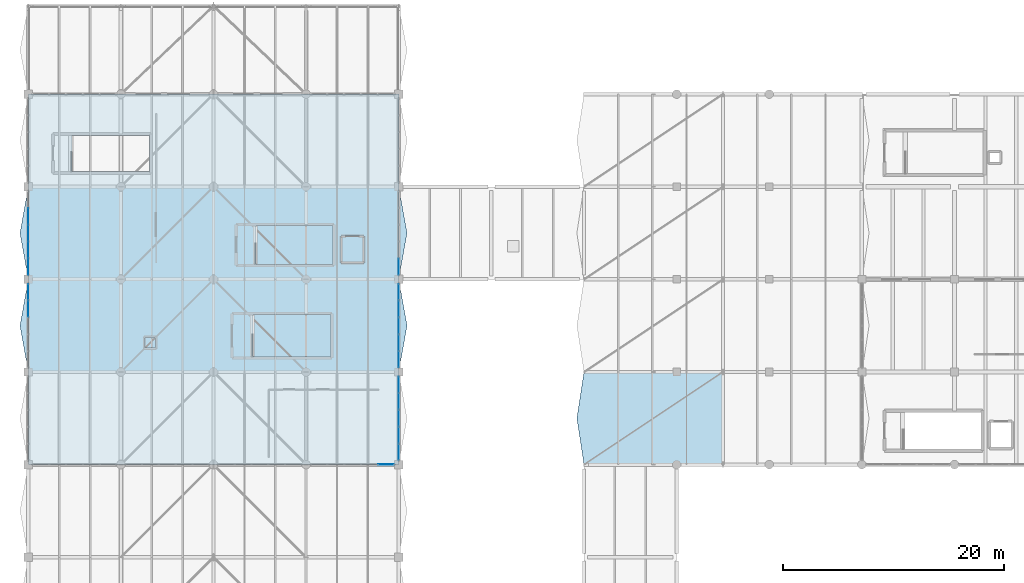
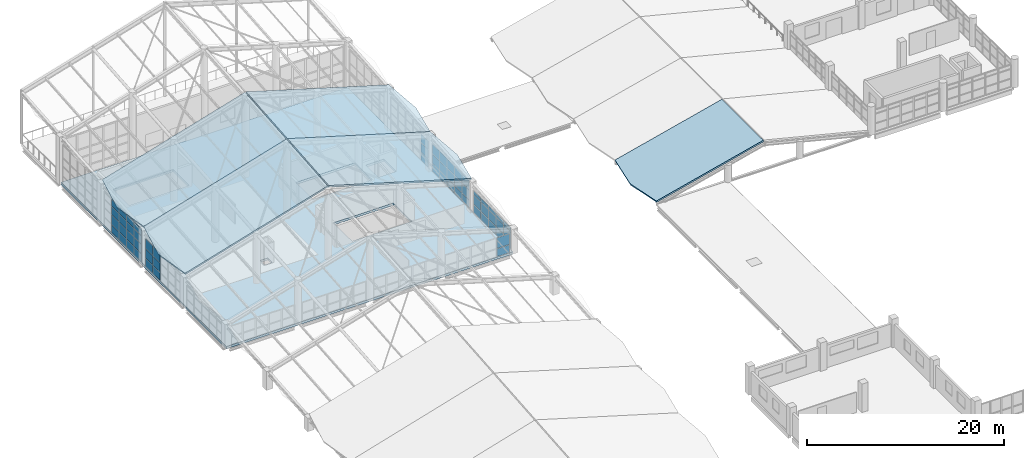
# One storey, part 68 of 95: 57 plates, 6 slabs, 6 elements without a shape of their own.
"""IFC4 building model written with IfcOpenShell, lengths in metres."""

import ifcopenshell
import ifcopenshell.guid

model = None  # the IFC model being written
_history = None  # IfcOwnerHistory: only IFC2X3 demands one
_inside = {}  # id of a spatial element -> (the spatial element, [elements in it])
_under = {}  # id of a project, library or spatial element -> (it, [spatial elements below it])
_declared = {}  # id of a project -> (the project, [libraries it declares])
_typed = {}  # id of a type object -> (the type object, [elements of that type])
_made_of = {}  # id of a material, layer set ... -> (it, [elements and type objects made of it])


def new_model(schema):
    """Start an empty IFC model of exactly this schema.

    Asked for "IFC4X3", IfcOpenShell would pick the latest addendum, in which some entities
    have other attributes; the version numbers below select the first issue.
    IFC2X3 requires an IfcOwnerHistory on every rooted entity: one is made here for all.
    """
    global model, _history
    if schema == "IFC4X3":
        model = ifcopenshell.file(schema_version=(4, 3, 0, 0))
    else:
        model = ifcopenshell.file(schema=schema)
    _inside.clear()
    _under.clear()
    _declared.clear()
    _typed.clear()
    _made_of.clear()
    _history = None
    if model.schema == "IFC2X3":
        org = make("IfcOrganization", Name="unknown")
        user = make(
            "IfcPersonAndOrganization",
            ThePerson=make("IfcPerson", FamilyName="unknown"),
            TheOrganization=org,
        )
        app = make(
            "IfcApplication",
            ApplicationDeveloper=org,
            Version="unknown",
            ApplicationFullName="unknown",
            ApplicationIdentifier="unknown",
        )
        _history = make(
            "IfcOwnerHistory",
            OwningUser=user,
            OwningApplication=app,
            ChangeAction="ADDED",
            CreationDate=0,
        )
    return model


def make(cls, **values):
    """One entity of the class cls with the attributes given. An attribute that is None is left unset."""
    return model.create_entity(
        cls, **{name: value for name, value in values.items() if value is not None}
    )


def rooted(cls, **values):
    """An entity with a GlobalId (a new one), such as an element, a storey or a relation."""
    return make(cls, GlobalId=ifcopenshell.guid.new(), OwnerHistory=_history, **values)


def si_unit(unit_type, name, prefix=None):
    """IfcSIUnit, for example si_unit("LENGTHUNIT", "METRE", prefix="MILLI")."""
    return make("IfcSIUnit", UnitType=unit_type, Prefix=prefix, Name=name)


def assignment(units):
    """IfcUnitAssignment: the units of a project."""
    return None if units is None else make("IfcUnitAssignment", Units=units)


def point(xyz):
    """IfcCartesianPoint."""
    return None if xyz is None else make("IfcCartesianPoint", Coordinates=xyz)


def direction(xyz):
    """IfcDirection."""
    return None if xyz is None else make("IfcDirection", DirectionRatios=xyz)


def frame(location, z_axis=None, x_axis=None):
    """IfcAxis2Placement3D, a coordinate frame: its origin and axes. An axis left out is left unset."""
    return make(
        "IfcAxis2Placement3D",
        Location=point(location),
        Axis=direction(z_axis),
        RefDirection=direction(x_axis),
    )


def frame_2d(location, x_axis=None):
    """IfcAxis2Placement2D, a coordinate frame in the plane: its origin and x axis."""
    return make(
        "IfcAxis2Placement2D", Location=point(location), RefDirection=direction(x_axis)
    )


def origin():
    """The frame at (0, 0, 0) with its axes left unset."""
    return frame((0.0, 0.0, 0.0))


def origin_2d():
    """The frame at (0, 0) in the plane with its x axis left unset."""
    return frame_2d((0.0, 0.0))


def place(relative_to, where):
    """IfcLocalPlacement: puts the frame where relative to a parent placement (None: the world)."""
    return make(
        "IfcLocalPlacement", PlacementRelTo=relative_to, RelativePlacement=where
    )


def context(
    kind, dimensions, precision=None, world=None, true_north=None, identifier=None
):
    """IfcGeometricRepresentationContext, for example the 3D "Model" context."""
    return make(
        "IfcGeometricRepresentationContext",
        ContextIdentifier=identifier,
        ContextType=kind,
        CoordinateSpaceDimension=dimensions,
        Precision=precision,
        WorldCoordinateSystem=world,
        TrueNorth=true_north,
    )


def subcontext(parent, identifier, kind, view, scale=None):
    """IfcGeometricRepresentationSubContext, for example "Body" below "Model"."""
    return make(
        "IfcGeometricRepresentationSubContext",
        ContextIdentifier=identifier,
        ContextType=kind,
        ParentContext=parent,
        TargetScale=scale,
        TargetView=view,
    )


def project(units=None, contexts=None):
    """IfcProject with its units and contexts."""
    return rooted(
        "IfcProject",
        Name="project",
        RepresentationContexts=contexts,
        UnitsInContext=assignment(units),
    )


def spatial(cls, under=None, at=None, **own):
    """A site, building, storey or space (cls), placed at a placement, below another one or the project."""
    s = rooted(cls, ObjectPlacement=at, **own)
    if under is not None:
        _under.setdefault(under.id(), (under, []))[1].append(s)
    return s


def polyline(points):
    """IfcPolyline through the points."""
    return make("IfcPolyline", Points=[point(p) for p in points])


def profile(cls, at=None, kind="AREA", **sizes):
    """A parametric profile (cls). Its sizes go by their IFC names, for example OverallWidth=200.0."""
    return make(cls, ProfileType=kind, Position=at, **sizes)


def rectangle(**sizes):
    """IfcRectangleProfileDef."""
    return profile("IfcRectangleProfileDef", **sizes)


def outline(outer, holes=None, kind="AREA"):
    """IfcArbitraryClosedProfileDef: a profile drawn as a closed curve; with holes, ...WithVoids."""
    if holes is None:
        return make("IfcArbitraryClosedProfileDef", ProfileType=kind, OuterCurve=outer)
    return make(
        "IfcArbitraryProfileDefWithVoids",
        ProfileType=kind,
        OuterCurve=outer,
        InnerCurves=holes,
    )


def extrude(swept, where, along, depth):
    """IfcExtrudedAreaSolid: the profile swept, set in the frame where, extruded along a direction by depth."""
    return make(
        "IfcExtrudedAreaSolid",
        SweptArea=swept,
        Position=where,
        ExtrudedDirection=direction(along),
        Depth=depth,
    )


def shape(context_of_items, identifier, shape_type, items):
    """IfcShapeRepresentation: the items that make up one representation, for example the "Body"."""
    return make(
        "IfcShapeRepresentation",
        ContextOfItems=context_of_items,
        RepresentationIdentifier=identifier,
        RepresentationType=shape_type,
        Items=items,
    )


def material(Name=None, Category=None):
    """IfcMaterial."""
    return make("IfcMaterial", Name=Name, Category=Category)


def layer(
    of_material, thickness, ventilated=None, Name=None, Category=None, Priority=None
):
    """IfcMaterialLayer: one layer of a wall or slab, of a material (None: an air gap)."""
    return make(
        "IfcMaterialLayer",
        Material=of_material,
        LayerThickness=thickness,
        IsVentilated=ventilated,
        Name=Name,
        Category=Category,
        Priority=Priority,
    )


def layer_set(layers, Name=None):
    """IfcMaterialLayerSet."""
    return make("IfcMaterialLayerSet", MaterialLayers=layers, LayerSetName=Name)


def made_of(thing, what):
    """Note that an element or type object is made of a material, layer set ...; save() writes the relation."""
    if what is not None:
        _made_of.setdefault(what.id(), (what, []))[1].append(thing)
    return thing


def type_object(cls, material=None, **own):
    """A type object (cls), such as IfcWallType, which elements share."""
    return made_of(rooted(cls, **own), material)


def element(
    cls,
    number,
    at=None,
    inside=None,
    cuts=None,
    type_object=None,
    material=None,
    context=None,
    identifier="Body",
    shape_type=None,
    held_by="IfcProductDefinitionShape",
    body=None,
    shapes=None,
    **own,
):
    """One element of the class cls, such as IfcWall. Its Tag is "e" and its number.

    at: its placement. inside: the storey or other place that contains it. cuts: it is an
    opening in that element (IfcRelVoidsElement). A single representation is given by context,
    identifier, shape_type and body (its items); several are given by shapes. held_by: the class
    of the entity that holds the representations. save() writes the other relations.
    """
    e = rooted(cls, Tag="e%d" % number, ObjectPlacement=at, **own)
    if body is not None:
        shapes = [shape(context, identifier, shape_type, body)]
    if shapes is not None:
        e.Representation = make(held_by, Representations=shapes)
    if inside is not None:
        _inside.setdefault(inside.id(), (inside, []))[1].append(e)
    if cuts is not None:
        rooted(
            "IfcRelVoidsElement", RelatingBuildingElement=cuts, RelatedOpeningElement=e
        )
    if type_object is not None:
        _typed.setdefault(type_object.id(), (type_object, []))[1].append(e)
    return made_of(e, material)


def aggregate(whole, parts):
    """IfcRelAggregates: a whole, such as a stair, and the parts it consists of."""
    return rooted("IfcRelAggregates", RelatingObject=whole, RelatedObjects=parts)


def save(model, path):
    """Write the relations noted so far, then the file.

    IfcRelAggregates (storeys below a building ...), IfcRelContainedInSpatialStructure (elements
    in a storey), IfcRelDefinesByType, IfcRelAssociatesMaterial and IfcRelDeclares: one each for
    every whole, place, type object, material and project.
    """
    for whole, parts in _under.values():
        aggregate(whole, parts)
    for where, things in _inside.values():
        rooted(
            "IfcRelContainedInSpatialStructure",
            RelatedElements=things,
            RelatingStructure=where,
        )
    for kind, things in _typed.values():
        rooted("IfcRelDefinesByType", RelatedObjects=things, RelatingType=kind)
    for what, things in _made_of.values():
        rooted("IfcRelAssociatesMaterial", RelatedObjects=things, RelatingMaterial=what)
    for by, libraries in _declared.values():
        rooted("IfcRelDeclares", RelatingContext=by, RelatedDefinitions=libraries)
    model.write(path)


model = new_model("IFC4")

# Units and contexts
model_context = context("Model", 3, precision=1e-05, world=origin(), true_north=direction((0.0, 1.0)))
body_context = subcontext(model_context, "Body", "Model", "MODEL_VIEW")
ifc_project = project(units=[si_unit("LENGTHUNIT", "METRE"), si_unit("AREAUNIT", "SQUARE_METRE"), si_unit("VOLUMEUNIT", "CUBIC_METRE"), si_unit("PLANEANGLEUNIT", "RADIAN"), si_unit("MASSUNIT", "GRAM", prefix="KILO"), si_unit("THERMODYNAMICTEMPERATUREUNIT", "KELVIN"), si_unit("POWERUNIT", "WATT")], contexts=[model_context])

# Site, building, storey
site_placement = place(None, origin())
site = spatial("IfcSite", under=ifc_project, at=site_placement, CompositionType="ELEMENT")
building_placement = place(site_placement, origin())
building = spatial("IfcBuilding", under=site, at=building_placement, Name="Mavoryth Pier Ferry Terminal", CompositionType="ELEMENT")
storey_placement = place(building_placement, frame((0.0, 0.0, 9.60009765625)))
storey = spatial("IfcBuildingStorey", under=building, at=storey_placement, Name="L02", CompositionType="ELEMENT", Elevation=9.60009765625)

# Curtain wall, plates
ifc_material_1 = material(Name="Anodised Aluminium and Solar-Control Low-E Glass", Category="aluminium")
ifc_layer_1 = layer(ifc_material_1, 0.179931640625, Name="Anodised Aluminium and Solar-Control Low-E Glass", Category="aluminium")
ifc_layer_set_1 = layer_set([ifc_layer_1], Name="Anodised Aluminium and Solar-Control Low-E Glass - CW-Concourse-Mod1400")
curtain_wall_type = type_object("IfcCurtainWallType", Name="CW-Concourse-Mod1400", PredefinedType="USERDEFINED", material=ifc_layer_set_1)
curtain_wall_1_placement = place(storey_placement, origin())
curtain_wall_1 = element("IfcCurtainWall", 1, at=curtain_wall_1_placement, inside=storey, type_object=curtain_wall_type, Name="Curtain Wall CW-0222-049", ObjectType="UNITISED CURTAIN WALL", PredefinedType="USERDEFINED")
ifc_material_2 = material(Name="Solar-Control Low-E Laminated Double Glazing", Category="glass")
ifc_layer_2 = layer(ifc_material_2, 0.02392578125, Name="Solar-Control Low-E Laminated Double Glazing", Category="glass")
ifc_layer_set_2 = layer_set([ifc_layer_2], Name="Solar-Control Low-E Laminated Double Glazing - Panel-LowE-DGU-24")
plate_type_1 = type_object("IfcPlateType", Name="Panel-LowE-DGU-24", PredefinedType="CURTAIN_PANEL", material=ifc_layer_set_2)
plate_1_placement = place(storey_placement, frame((32.446533203125, 72.39990234375, 0.059814453125), z_axis=(0.0, 0.0, 1.0), x_axis=(1.0, 0.0, 0.0)))
plate_1 = element("IfcPlate", 2, at=plate_1_placement, type_object=plate_type_1, Name="CW01 panel 5.1", PredefinedType="CURTAIN_PANEL", context=body_context, shape_type="SweptSolid", body=[
    extrude(rectangle(XDim=1.43701171875, YDim=0.02392578125, at=origin_2d()), origin(), (0.0, 0.0, 1.0), 0.9599609375),
])
plate_2_placement = place(storey_placement, frame((32.446533203125, 72.39990234375, 1.079833984375), z_axis=(0.0, 0.0, 1.0), x_axis=(1.0, 0.0, 0.0)))
plate_2 = element("IfcPlate", 3, at=plate_2_placement, type_object=plate_type_1, Name="CW01 panel 5.2", PredefinedType="CURTAIN_PANEL", context=body_context, shape_type="SweptSolid", body=[
    extrude(rectangle(XDim=1.43701171875, YDim=0.02392578125, at=origin_2d()), origin(), (0.0, 0.0, 1.0), 1.2958984375),
])
aggregate(curtain_wall_1, [plate_1, plate_2])

curtain_wall_2_placement = place(storey_placement, origin())
curtain_wall_2 = element("IfcCurtainWall", 4, at=curtain_wall_2_placement, inside=storey, type_object=curtain_wall_type, Name="Curtain Wall CW-0222-022", ObjectType="UNITISED CURTAIN WALL", PredefinedType="USERDEFINED")
ifc_material_3 = material(Name="Acoustic Solar-Control Triple-Laminated Glazing", Category="glass")
ifc_layer_3 = layer(ifc_material_3, 0.033935546875, Name="Acoustic Solar-Control Triple-Laminated Glazing", Category="glass")
ifc_layer_set_3 = layer_set([ifc_layer_3], Name="Acoustic Solar-Control Triple-Laminated Glazing - Panel-LowE-DGU-34")
plate_type_2 = type_object("IfcPlateType", Name="Panel-LowE-DGU-34", PredefinedType="CURTAIN_PANEL", material=ifc_layer_set_3)
plate_3_placement = place(storey_placement, frame((33.60009765625, 73.554931640625, 0.059814453125), z_axis=(0.0, 0.0, 1.0), x_axis=(0.0, 1.0, 0.0)))
plate_3 = element("IfcPlate", 5, at=plate_3_placement, type_object=plate_type_2, Name="CW01 panel 1.1", PredefinedType="CURTAIN_PANEL", context=body_context, shape_type="SweptSolid", body=[
    extrude(rectangle(XDim=1.43994140625, YDim=0.033935546875, at=origin_2d()), origin(), (0.0, 0.0, 1.0), 0.9599609375),
])
plate_4_placement = place(storey_placement, frame((33.60009765625, 73.554931640625, 1.080078125), z_axis=(0.0, 0.0, 1.0), x_axis=(0.0, 1.0, 0.0)))
plate_4 = element("IfcPlate", 6, at=plate_4_placement, type_object=plate_type_2, Name="CW01 panel 1.2", PredefinedType="CURTAIN_PANEL", context=body_context, shape_type="SweptSolid", body=[
    extrude(rectangle(XDim=1.43994140625, YDim=0.033935546875, at=origin_2d()), origin(), (0.0, 0.0, 1.0), 1.139892578125),
])
plate_5_placement = place(storey_placement, frame((33.60009765625, 73.554931640625, 2.27978515625), z_axis=(0.0, 0.0, 1.0), x_axis=(0.0, 1.0, 0.0)))
plate_5 = element("IfcPlate", 7, at=plate_5_placement, type_object=plate_type_2, Name="CW01 panel 1.3", PredefinedType="CURTAIN_PANEL", context=body_context, shape_type="SweptSolid", body=[
    extrude(rectangle(XDim=1.43994140625, YDim=0.033935546875, at=origin_2d()), origin(), (0.0, 0.0, 1.0), 0.453125),
])
plate_6_placement = place(storey_placement, frame((33.60009765625, 75.070068359375, 0.059814453125), z_axis=(0.0, 0.0, 1.0), x_axis=(0.0, 1.0, 0.0)))
plate_6 = element("IfcPlate", 8, at=plate_6_placement, type_object=plate_type_2, Name="CW01 panel 2.1", PredefinedType="CURTAIN_PANEL", context=body_context, shape_type="SweptSolid", body=[
    extrude(rectangle(XDim=1.469970703125, YDim=0.033935546875, at=origin_2d()), origin(), (0.0, 0.0, 1.0), 0.9599609375),
])
plate_7_placement = place(storey_placement, frame((33.60009765625, 75.070068359375, 1.080078125), z_axis=(0.0, 0.0, 1.0), x_axis=(0.0, 1.0, 0.0)))
plate_7 = element("IfcPlate", 9, at=plate_7_placement, type_object=plate_type_2, Name="CW01 panel 2.2", PredefinedType="CURTAIN_PANEL", context=body_context, shape_type="SweptSolid", body=[
    extrude(rectangle(XDim=1.469970703125, YDim=0.033935546875, at=origin_2d()), origin(), (0.0, 0.0, 1.0), 1.139892578125),
])
plate_8_placement = place(storey_placement, frame((33.60009765625, 75.070068359375, 2.27978515625), z_axis=(0.0, 0.0, 1.0), x_axis=(0.0, 1.0, 0.0)))
plate_8 = element("IfcPlate", 10, at=plate_8_placement, type_object=plate_type_2, Name="CW01 panel 2.3", PredefinedType="CURTAIN_PANEL", context=body_context, shape_type="SweptSolid", body=[
    extrude(rectangle(XDim=1.469970703125, YDim=0.033935546875, at=origin_2d()), origin(), (0.0, 0.0, 1.0), 0.453125),
])
plate_9_placement = place(storey_placement, frame((33.60009765625, 76.60009765625, 0.059814453125), z_axis=(0.0, 0.0, 1.0), x_axis=(0.0, 1.0, 0.0)))
plate_9 = element("IfcPlate", 11, at=plate_9_placement, type_object=plate_type_2, Name="CW01 panel 3.1", PredefinedType="CURTAIN_PANEL", context=body_context, shape_type="SweptSolid", body=[
    extrude(rectangle(XDim=1.469970703125, YDim=0.033935546875, at=origin_2d()), origin(), (0.0, 0.0, 1.0), 0.9599609375),
])
plate_10_placement = place(storey_placement, frame((33.60009765625, 76.60009765625, 1.080078125), z_axis=(0.0, 0.0, 1.0), x_axis=(0.0, 1.0, 0.0)))
plate_10 = element("IfcPlate", 12, at=plate_10_placement, type_object=plate_type_2, Name="CW01 panel 3.2", PredefinedType="CURTAIN_PANEL", context=body_context, shape_type="SweptSolid", body=[
    extrude(rectangle(XDim=1.469970703125, YDim=0.033935546875, at=origin_2d()), origin(), (0.0, 0.0, 1.0), 1.139892578125),
])
plate_11_placement = place(storey_placement, frame((33.60009765625, 76.60009765625, 2.27978515625), z_axis=(0.0, 0.0, 1.0), x_axis=(0.0, 1.0, 0.0)))
plate_11 = element("IfcPlate", 13, at=plate_11_placement, type_object=plate_type_2, Name="CW01 panel 3.3", PredefinedType="CURTAIN_PANEL", context=body_context, shape_type="SweptSolid", body=[
    extrude(rectangle(XDim=1.469970703125, YDim=0.033935546875, at=origin_2d()), origin(), (0.0, 0.0, 1.0), 0.453125),
])
plate_12_placement = place(storey_placement, frame((33.60009765625, 78.1298828125, 0.059814453125), z_axis=(0.0, 0.0, 1.0), x_axis=(0.0, 1.0, 0.0)))
plate_12 = element("IfcPlate", 14, at=plate_12_placement, type_object=plate_type_2, Name="CW01 panel 4.1", PredefinedType="CURTAIN_PANEL", context=body_context, shape_type="SweptSolid", body=[
    extrude(rectangle(XDim=1.469970703125, YDim=0.033935546875, at=origin_2d()), origin(), (0.0, 0.0, 1.0), 0.9599609375),
])
plate_13_placement = place(storey_placement, frame((33.60009765625, 78.1298828125, 1.080078125), z_axis=(0.0, 0.0, 1.0), x_axis=(0.0, 1.0, 0.0)))
plate_13 = element("IfcPlate", 15, at=plate_13_placement, type_object=plate_type_2, Name="CW01 panel 4.2", PredefinedType="CURTAIN_PANEL", context=body_context, shape_type="SweptSolid", body=[
    extrude(rectangle(XDim=1.469970703125, YDim=0.033935546875, at=origin_2d()), origin(), (0.0, 0.0, 1.0), 1.139892578125),
])
plate_14_placement = place(storey_placement, frame((33.60009765625, 78.1298828125, 2.27978515625), z_axis=(0.0, 0.0, 1.0), x_axis=(0.0, 1.0, 0.0)))
plate_14 = element("IfcPlate", 16, at=plate_14_placement, type_object=plate_type_2, Name="CW01 panel 4.3", PredefinedType="CURTAIN_PANEL", context=body_context, shape_type="SweptSolid", body=[
    extrude(rectangle(XDim=1.469970703125, YDim=0.033935546875, at=origin_2d()), origin(), (0.0, 0.0, 1.0), 0.453125),
])
plate_15_placement = place(storey_placement, frame((33.60009765625, 79.64501953125, 0.059814453125), z_axis=(0.0, 0.0, 1.0), x_axis=(0.0, 1.0, 0.0)))
plate_15 = element("IfcPlate", 17, at=plate_15_placement, type_object=plate_type_2, Name="CW01 panel 5.1", PredefinedType="CURTAIN_PANEL", context=body_context, shape_type="SweptSolid", body=[
    extrude(rectangle(XDim=1.43994140625, YDim=0.033935546875, at=origin_2d()), origin(), (0.0, 0.0, 1.0), 0.9599609375),
])
plate_16_placement = place(storey_placement, frame((33.60009765625, 79.64501953125, 1.080078125), z_axis=(0.0, 0.0, 1.0), x_axis=(0.0, 1.0, 0.0)))
plate_16 = element("IfcPlate", 18, at=plate_16_placement, type_object=plate_type_2, Name="CW01 panel 5.2", PredefinedType="CURTAIN_PANEL", context=body_context, shape_type="SweptSolid", body=[
    extrude(rectangle(XDim=1.43994140625, YDim=0.033935546875, at=origin_2d()), origin(), (0.0, 0.0, 1.0), 1.139892578125),
])
plate_17_placement = place(storey_placement, frame((33.60009765625, 79.64501953125, 2.27978515625), z_axis=(0.0, 0.0, 1.0), x_axis=(0.0, 1.0, 0.0)))
plate_17 = element("IfcPlate", 19, at=plate_17_placement, type_object=plate_type_2, Name="CW01 panel 5.3", PredefinedType="CURTAIN_PANEL", context=body_context, shape_type="SweptSolid", body=[
    extrude(rectangle(XDim=1.43994140625, YDim=0.033935546875, at=origin_2d()), origin(), (0.0, 0.0, 1.0), 0.453125),
])
aggregate(curtain_wall_2, [plate_3, plate_4, plate_5, plate_6, plate_7, plate_8, plate_9, plate_10, plate_11, plate_12, plate_13, plate_14, plate_15, plate_16, plate_17])

curtain_wall_3_placement = place(storey_placement, origin())
curtain_wall_3 = element("IfcCurtainWall", 20, at=curtain_wall_3_placement, inside=storey, type_object=curtain_wall_type, Name="Curtain Wall CW-0222-023", ObjectType="UNITISED CURTAIN WALL", PredefinedType="USERDEFINED")
plate_18_placement = place(storey_placement, frame((0.0, 88.044921875, 0.059814453125), z_axis=(0.0, 0.0, 1.0), x_axis=(0.0, -1.0, 0.0)))
plate_18 = element("IfcPlate", 21, at=plate_18_placement, type_object=plate_type_2, Name="CW01 panel 1.1", PredefinedType="CURTAIN_PANEL", context=body_context, shape_type="SweptSolid", body=[
    extrude(rectangle(XDim=1.43994140625, YDim=0.033935546875, at=origin_2d()), origin(), (0.0, 0.0, 1.0), 0.9599609375),
])
plate_19_placement = place(storey_placement, frame((0.0, 88.044921875, 1.080078125), z_axis=(0.0, 0.0, 1.0), x_axis=(0.0, -1.0, 0.0)))
plate_19 = element("IfcPlate", 22, at=plate_19_placement, type_object=plate_type_2, Name="CW01 panel 1.2", PredefinedType="CURTAIN_PANEL", context=body_context, shape_type="SweptSolid", body=[
    extrude(rectangle(XDim=1.43994140625, YDim=0.033935546875, at=origin_2d()), origin(), (0.0, 0.0, 1.0), 1.139892578125),
])
plate_20_placement = place(storey_placement, frame((0.0, 88.044921875, 2.280029296875), z_axis=(0.0, 0.0, 1.0), x_axis=(0.0, -1.0, 0.0)))
plate_20 = element("IfcPlate", 23, at=plate_20_placement, type_object=plate_type_2, Name="CW01 panel 1.3", PredefinedType="CURTAIN_PANEL", context=body_context, shape_type="SweptSolid", body=[
    extrude(rectangle(XDim=1.43994140625, YDim=0.033935546875, at=origin_2d()), origin(), (0.0, 0.0, 1.0), 1.16748046875),
])
plate_21_placement = place(storey_placement, frame((0.0, 86.530029296875, 0.059814453125), z_axis=(0.0, 0.0, 1.0), x_axis=(0.0, -1.0, 0.0)))
plate_21 = element("IfcPlate", 24, at=plate_21_placement, type_object=plate_type_2, Name="CW01 panel 2.1", PredefinedType="CURTAIN_PANEL", context=body_context, shape_type="SweptSolid", body=[
    extrude(rectangle(XDim=1.469970703125, YDim=0.033935546875, at=origin_2d()), origin(), (0.0, 0.0, 1.0), 0.9599609375),
])
plate_22_placement = place(storey_placement, frame((0.0, 86.530029296875, 1.080078125), z_axis=(0.0, 0.0, 1.0), x_axis=(0.0, -1.0, 0.0)))
plate_22 = element("IfcPlate", 25, at=plate_22_placement, type_object=plate_type_2, Name="CW01 panel 2.2", PredefinedType="CURTAIN_PANEL", context=body_context, shape_type="SweptSolid", body=[
    extrude(rectangle(XDim=1.469970703125, YDim=0.033935546875, at=origin_2d()), origin(), (0.0, 0.0, 1.0), 1.139892578125),
])
plate_23_placement = place(storey_placement, frame((0.0, 86.530029296875, 2.280029296875), z_axis=(0.0, 0.0, 1.0), x_axis=(0.0, -1.0, 0.0)))
plate_23 = element("IfcPlate", 26, at=plate_23_placement, type_object=plate_type_2, Name="CW01 panel 2.3", PredefinedType="CURTAIN_PANEL", context=body_context, shape_type="SweptSolid", body=[
    extrude(rectangle(XDim=1.469970703125, YDim=0.033935546875, at=origin_2d()), origin(), (0.0, 0.0, 1.0), 1.16748046875),
])
aggregate(curtain_wall_3, [plate_18, plate_19, plate_20, plate_21, plate_22, plate_23])

curtain_wall_4_placement = place(storey_placement, origin())
curtain_wall_4 = element("IfcCurtainWall", 27, at=curtain_wall_4_placement, inside=storey, type_object=curtain_wall_type, Name="Curtain Wall CW-0222-024", ObjectType="UNITISED CURTAIN WALL", PredefinedType="USERDEFINED")
plate_24_placement = place(storey_placement, frame((33.60009765625, 81.955078125, 0.059814453125), z_axis=(0.0, 0.0, 1.0), x_axis=(0.0, 1.0, 0.0)))
plate_24 = element("IfcPlate", 28, at=plate_24_placement, type_object=plate_type_2, Name="CW01 panel 1.1", PredefinedType="CURTAIN_PANEL", context=body_context, shape_type="SweptSolid", body=[
    extrude(rectangle(XDim=1.43994140625, YDim=0.033935546875, at=origin_2d()), origin(), (0.0, 0.0, 1.0), 0.9599609375),
])
plate_25_placement = place(storey_placement, frame((33.60009765625, 81.955078125, 1.080078125), z_axis=(0.0, 0.0, 1.0), x_axis=(0.0, 1.0, 0.0)))
plate_25 = element("IfcPlate", 29, at=plate_25_placement, type_object=plate_type_2, Name="CW01 panel 1.2", PredefinedType="CURTAIN_PANEL", context=body_context, shape_type="SweptSolid", body=[
    extrude(rectangle(XDim=1.43994140625, YDim=0.033935546875, at=origin_2d()), origin(), (0.0, 0.0, 1.0), 1.139892578125),
])
plate_26_placement = place(storey_placement, frame((33.60009765625, 81.955078125, 2.280029296875), z_axis=(0.0, 0.0, 1.0), x_axis=(0.0, 1.0, 0.0)))
plate_26 = element("IfcPlate", 30, at=plate_26_placement, type_object=plate_type_2, Name="CW01 panel 1.3", PredefinedType="CURTAIN_PANEL", context=body_context, shape_type="SweptSolid", body=[
    extrude(rectangle(XDim=1.43994140625, YDim=0.033935546875, at=origin_2d()), origin(), (0.0, 0.0, 1.0), 1.16748046875),
])
plate_27_placement = place(storey_placement, frame((33.60009765625, 83.469970703125, 0.059814453125), z_axis=(0.0, 0.0, 1.0), x_axis=(0.0, 1.0, 0.0)))
plate_27 = element("IfcPlate", 31, at=plate_27_placement, type_object=plate_type_2, Name="CW01 panel 2.1", PredefinedType="CURTAIN_PANEL", context=body_context, shape_type="SweptSolid", body=[
    extrude(rectangle(XDim=1.469970703125, YDim=0.033935546875, at=origin_2d()), origin(), (0.0, 0.0, 1.0), 0.9599609375),
])
plate_28_placement = place(storey_placement, frame((33.60009765625, 83.469970703125, 1.080078125), z_axis=(0.0, 0.0, 1.0), x_axis=(0.0, 1.0, 0.0)))
plate_28 = element("IfcPlate", 32, at=plate_28_placement, type_object=plate_type_2, Name="CW01 panel 2.2", PredefinedType="CURTAIN_PANEL", context=body_context, shape_type="SweptSolid", body=[
    extrude(rectangle(XDim=1.469970703125, YDim=0.033935546875, at=origin_2d()), origin(), (0.0, 0.0, 1.0), 1.139892578125),
])
plate_29_placement = place(storey_placement, frame((33.60009765625, 83.469970703125, 2.280029296875), z_axis=(0.0, 0.0, 1.0), x_axis=(0.0, 1.0, 0.0)))
plate_29 = element("IfcPlate", 33, at=plate_29_placement, type_object=plate_type_2, Name="CW01 panel 2.3", PredefinedType="CURTAIN_PANEL", context=body_context, shape_type="SweptSolid", body=[
    extrude(rectangle(XDim=1.469970703125, YDim=0.033935546875, at=origin_2d()), origin(), (0.0, 0.0, 1.0), 1.16748046875),
])
plate_30_placement = place(storey_placement, frame((33.60009765625, 85.0, 0.059814453125), z_axis=(0.0, 0.0, 1.0), x_axis=(0.0, 1.0, 0.0)))
plate_30 = element("IfcPlate", 34, at=plate_30_placement, type_object=plate_type_2, Name="CW01 panel 3.1", PredefinedType="CURTAIN_PANEL", context=body_context, shape_type="SweptSolid", body=[
    extrude(rectangle(XDim=1.469970703125, YDim=0.033935546875, at=origin_2d()), origin(), (0.0, 0.0, 1.0), 0.9599609375),
])
plate_31_placement = place(storey_placement, frame((33.60009765625, 85.0, 1.080078125), z_axis=(0.0, 0.0, 1.0), x_axis=(0.0, 1.0, 0.0)))
plate_31 = element("IfcPlate", 35, at=plate_31_placement, type_object=plate_type_2, Name="CW01 panel 3.2", PredefinedType="CURTAIN_PANEL", context=body_context, shape_type="SweptSolid", body=[
    extrude(rectangle(XDim=1.469970703125, YDim=0.033935546875, at=origin_2d()), origin(), (0.0, 0.0, 1.0), 1.139892578125),
])
plate_32_placement = place(storey_placement, frame((33.60009765625, 85.0, 2.280029296875), z_axis=(0.0, 0.0, 1.0), x_axis=(0.0, 1.0, 0.0)))
plate_32 = element("IfcPlate", 36, at=plate_32_placement, type_object=plate_type_2, Name="CW01 panel 3.3", PredefinedType="CURTAIN_PANEL", context=body_context, shape_type="SweptSolid", body=[
    extrude(rectangle(XDim=1.469970703125, YDim=0.033935546875, at=origin_2d()), origin(), (0.0, 0.0, 1.0), 1.16748046875),
])
plate_33_placement = place(storey_placement, frame((33.60009765625, 86.530029296875, 0.059814453125), z_axis=(0.0, 0.0, 1.0), x_axis=(0.0, 1.0, 0.0)))
plate_33 = element("IfcPlate", 37, at=plate_33_placement, type_object=plate_type_2, Name="CW01 panel 4.1", PredefinedType="CURTAIN_PANEL", context=body_context, shape_type="SweptSolid", body=[
    extrude(rectangle(XDim=1.469970703125, YDim=0.033935546875, at=origin_2d()), origin(), (0.0, 0.0, 1.0), 0.9599609375),
])
plate_34_placement = place(storey_placement, frame((33.60009765625, 86.530029296875, 1.080078125), z_axis=(0.0, 0.0, 1.0), x_axis=(0.0, 1.0, 0.0)))
plate_34 = element("IfcPlate", 38, at=plate_34_placement, type_object=plate_type_2, Name="CW01 panel 4.2", PredefinedType="CURTAIN_PANEL", context=body_context, shape_type="SweptSolid", body=[
    extrude(rectangle(XDim=1.469970703125, YDim=0.033935546875, at=origin_2d()), origin(), (0.0, 0.0, 1.0), 1.139892578125),
])
plate_35_placement = place(storey_placement, frame((33.60009765625, 86.530029296875, 2.280029296875), z_axis=(0.0, 0.0, 1.0), x_axis=(0.0, 1.0, 0.0)))
plate_35 = element("IfcPlate", 39, at=plate_35_placement, type_object=plate_type_2, Name="CW01 panel 4.3", PredefinedType="CURTAIN_PANEL", context=body_context, shape_type="SweptSolid", body=[
    extrude(rectangle(XDim=1.469970703125, YDim=0.033935546875, at=origin_2d()), origin(), (0.0, 0.0, 1.0), 1.16748046875),
])
plate_36_placement = place(storey_placement, frame((33.60009765625, 88.044921875, 0.059814453125), z_axis=(0.0, 0.0, 1.0), x_axis=(0.0, 1.0, 0.0)))
plate_36 = element("IfcPlate", 40, at=plate_36_placement, type_object=plate_type_2, Name="CW01 panel 5.1", PredefinedType="CURTAIN_PANEL", context=body_context, shape_type="SweptSolid", body=[
    extrude(rectangle(XDim=1.43994140625, YDim=0.033935546875, at=origin_2d()), origin(), (0.0, 0.0, 1.0), 0.9599609375),
])
plate_37_placement = place(storey_placement, frame((33.60009765625, 88.044921875, 1.080078125), z_axis=(0.0, 0.0, 1.0), x_axis=(0.0, 1.0, 0.0)))
plate_37 = element("IfcPlate", 41, at=plate_37_placement, type_object=plate_type_2, Name="CW01 panel 5.2", PredefinedType="CURTAIN_PANEL", context=body_context, shape_type="SweptSolid", body=[
    extrude(rectangle(XDim=1.43994140625, YDim=0.033935546875, at=origin_2d()), origin(), (0.0, 0.0, 1.0), 1.139892578125),
])
plate_38_placement = place(storey_placement, frame((33.60009765625, 88.044921875, 2.280029296875), z_axis=(0.0, 0.0, 1.0), x_axis=(0.0, 1.0, 0.0)))
plate_38 = element("IfcPlate", 42, at=plate_38_placement, type_object=plate_type_2, Name="CW01 panel 5.3", PredefinedType="CURTAIN_PANEL", context=body_context, shape_type="SweptSolid", body=[
    extrude(rectangle(XDim=1.43994140625, YDim=0.033935546875, at=origin_2d()), origin(), (0.0, 0.0, 1.0), 1.16748046875),
])
aggregate(curtain_wall_4, [plate_24, plate_25, plate_26, plate_27, plate_28, plate_29, plate_30, plate_31, plate_32, plate_33, plate_34, plate_35, plate_36, plate_37, plate_38])

curtain_wall_5_placement = place(storey_placement, origin())
curtain_wall_5 = element("IfcCurtainWall", 43, at=curtain_wall_5_placement, inside=storey, type_object=curtain_wall_type, Name="Curtain Wall CW-0222-028", ObjectType="UNITISED CURTAIN WALL", PredefinedType="USERDEFINED")
plate_39_placement = place(storey_placement, frame((0.0, 94.929931640625, 0.059814453125), z_axis=(0.0, 0.0, 1.0), x_axis=(0.0, -1.0, 0.0)))
plate_39 = element("IfcPlate", 44, at=plate_39_placement, type_object=plate_type_2, Name="CW01 panel 2.1", PredefinedType="CURTAIN_PANEL", context=body_context, shape_type="SweptSolid", body=[
    extrude(rectangle(XDim=1.469970703125, YDim=0.033935546875, at=origin_2d()), origin(), (0.0, 0.0, 1.0), 0.9599609375),
])
plate_40_placement = place(storey_placement, frame((0.0, 94.929931640625, 1.080078125), z_axis=(0.0, 0.0, 1.0), x_axis=(0.0, -1.0, 0.0)))
plate_40 = element("IfcPlate", 45, at=plate_40_placement, type_object=plate_type_2, Name="CW01 panel 2.2", PredefinedType="CURTAIN_PANEL", context=body_context, shape_type="SweptSolid", body=[
    extrude(rectangle(XDim=1.469970703125, YDim=0.033935546875, at=origin_2d()), origin(), (0.0, 0.0, 1.0), 1.139892578125),
])
plate_41_placement = place(storey_placement, frame((0.0, 94.929931640625, 2.27978515625), z_axis=(0.0, 0.0, 1.0), x_axis=(0.0, -1.0, 0.0)))
plate_41 = element("IfcPlate", 46, at=plate_41_placement, type_object=plate_type_2, Name="CW01 panel 2.3", PredefinedType="CURTAIN_PANEL", context=body_context, shape_type="SweptSolid", body=[
    extrude(rectangle(XDim=1.469970703125, YDim=0.033935546875, at=origin_2d()), origin(), (0.0, 0.0, 1.0), 0.989990234375),
])
plate_42_placement = place(storey_placement, frame((0.0, 94.929931640625, 3.330078125), z_axis=(0.0, 0.0, 1.0), x_axis=(0.0, -1.0, 0.0)))
plate_42 = element("IfcPlate", 47, at=plate_42_placement, type_object=plate_type_2, Name="CW01 panel 2.4", PredefinedType="CURTAIN_PANEL", context=body_context, shape_type="SweptSolid", body=[
    extrude(rectangle(XDim=1.469970703125, YDim=0.033935546875, at=origin_2d()), origin(), (0.0, 0.0, 1.0), 0.831787109375),
])
plate_43_placement = place(storey_placement, frame((0.0, 93.39990234375, 0.059814453125), z_axis=(0.0, 0.0, 1.0), x_axis=(0.0, -1.0, 0.0)))
plate_43 = element("IfcPlate", 48, at=plate_43_placement, type_object=plate_type_2, Name="CW01 panel 3.1", PredefinedType="CURTAIN_PANEL", context=body_context, shape_type="SweptSolid", body=[
    extrude(rectangle(XDim=1.469970703125, YDim=0.033935546875, at=origin_2d()), origin(), (0.0, 0.0, 1.0), 0.9599609375),
])
plate_44_placement = place(storey_placement, frame((0.0, 93.39990234375, 1.080078125), z_axis=(0.0, 0.0, 1.0), x_axis=(0.0, -1.0, 0.0)))
plate_44 = element("IfcPlate", 49, at=plate_44_placement, type_object=plate_type_2, Name="CW01 panel 3.2", PredefinedType="CURTAIN_PANEL", context=body_context, shape_type="SweptSolid", body=[
    extrude(rectangle(XDim=1.469970703125, YDim=0.033935546875, at=origin_2d()), origin(), (0.0, 0.0, 1.0), 1.139892578125),
])
plate_45_placement = place(storey_placement, frame((0.0, 93.39990234375, 2.27978515625), z_axis=(0.0, 0.0, 1.0), x_axis=(0.0, -1.0, 0.0)))
plate_45 = element("IfcPlate", 50, at=plate_45_placement, type_object=plate_type_2, Name="CW01 panel 3.3", PredefinedType="CURTAIN_PANEL", context=body_context, shape_type="SweptSolid", body=[
    extrude(rectangle(XDim=1.469970703125, YDim=0.033935546875, at=origin_2d()), origin(), (0.0, 0.0, 1.0), 0.989990234375),
])
plate_46_placement = place(storey_placement, frame((0.0, 93.39990234375, 3.330078125), z_axis=(0.0, 0.0, 1.0), x_axis=(0.0, -1.0, 0.0)))
plate_46 = element("IfcPlate", 51, at=plate_46_placement, type_object=plate_type_2, Name="CW01 panel 3.4", PredefinedType="CURTAIN_PANEL", context=body_context, shape_type="SweptSolid", body=[
    extrude(rectangle(XDim=1.469970703125, YDim=0.033935546875, at=origin_2d()), origin(), (0.0, 0.0, 1.0), 0.831787109375),
])
plate_47_placement = place(storey_placement, frame((0.0, 91.8701171875, 0.059814453125), z_axis=(0.0, 0.0, 1.0), x_axis=(0.0, -1.0, 0.0)))
plate_47 = element("IfcPlate", 52, at=plate_47_placement, type_object=plate_type_2, Name="CW01 panel 4.1", PredefinedType="CURTAIN_PANEL", context=body_context, shape_type="SweptSolid", body=[
    extrude(rectangle(XDim=1.469970703125, YDim=0.033935546875, at=origin_2d()), origin(), (0.0, 0.0, 1.0), 0.9599609375),
])
plate_48_placement = place(storey_placement, frame((0.0, 91.8701171875, 1.080078125), z_axis=(0.0, 0.0, 1.0), x_axis=(0.0, -1.0, 0.0)))
plate_48 = element("IfcPlate", 53, at=plate_48_placement, type_object=plate_type_2, Name="CW01 panel 4.2", PredefinedType="CURTAIN_PANEL", context=body_context, shape_type="SweptSolid", body=[
    extrude(rectangle(XDim=1.469970703125, YDim=0.033935546875, at=origin_2d()), origin(), (0.0, 0.0, 1.0), 1.139892578125),
])
plate_49_placement = place(storey_placement, frame((0.0, 91.8701171875, 2.27978515625), z_axis=(0.0, 0.0, 1.0), x_axis=(0.0, -1.0, 0.0)))
plate_49 = element("IfcPlate", 54, at=plate_49_placement, type_object=plate_type_2, Name="CW01 panel 4.3", PredefinedType="CURTAIN_PANEL", context=body_context, shape_type="SweptSolid", body=[
    extrude(rectangle(XDim=1.469970703125, YDim=0.033935546875, at=origin_2d()), origin(), (0.0, 0.0, 1.0), 0.989990234375),
])
plate_50_placement = place(storey_placement, frame((0.0, 91.8701171875, 3.330078125), z_axis=(0.0, 0.0, 1.0), x_axis=(0.0, -1.0, 0.0)))
plate_50 = element("IfcPlate", 55, at=plate_50_placement, type_object=plate_type_2, Name="CW01 panel 4.4", PredefinedType="CURTAIN_PANEL", context=body_context, shape_type="SweptSolid", body=[
    extrude(rectangle(XDim=1.469970703125, YDim=0.033935546875, at=origin_2d()), origin(), (0.0, 0.0, 1.0), 0.831787109375),
])
plate_51_placement = place(storey_placement, frame((0.0, 90.35498046875, 0.059814453125), z_axis=(0.0, 0.0, 1.0), x_axis=(0.0, -1.0, 0.0)))
plate_51 = element("IfcPlate", 56, at=plate_51_placement, type_object=plate_type_2, Name="CW01 panel 5.1", PredefinedType="CURTAIN_PANEL", context=body_context, shape_type="SweptSolid", body=[
    extrude(rectangle(XDim=1.43994140625, YDim=0.033935546875, at=origin_2d()), origin(), (0.0, 0.0, 1.0), 0.9599609375),
])
plate_52_placement = place(storey_placement, frame((0.0, 90.35498046875, 1.080078125), z_axis=(0.0, 0.0, 1.0), x_axis=(0.0, -1.0, 0.0)))
plate_52 = element("IfcPlate", 57, at=plate_52_placement, type_object=plate_type_2, Name="CW01 panel 5.2", PredefinedType="CURTAIN_PANEL", context=body_context, shape_type="SweptSolid", body=[
    extrude(rectangle(XDim=1.43994140625, YDim=0.033935546875, at=origin_2d()), origin(), (0.0, 0.0, 1.0), 1.139892578125),
])
plate_53_placement = place(storey_placement, frame((0.0, 90.35498046875, 2.27978515625), z_axis=(0.0, 0.0, 1.0), x_axis=(0.0, -1.0, 0.0)))
plate_53 = element("IfcPlate", 58, at=plate_53_placement, type_object=plate_type_2, Name="CW01 panel 5.3", PredefinedType="CURTAIN_PANEL", context=body_context, shape_type="SweptSolid", body=[
    extrude(rectangle(XDim=1.43994140625, YDim=0.033935546875, at=origin_2d()), origin(), (0.0, 0.0, 1.0), 0.989990234375),
])
plate_54_placement = place(storey_placement, frame((0.0, 90.35498046875, 3.330078125), z_axis=(0.0, 0.0, 1.0), x_axis=(0.0, -1.0, 0.0)))
plate_54 = element("IfcPlate", 59, at=plate_54_placement, type_object=plate_type_2, Name="CW01 panel 5.4", PredefinedType="CURTAIN_PANEL", context=body_context, shape_type="SweptSolid", body=[
    extrude(rectangle(XDim=1.43994140625, YDim=0.033935546875, at=origin_2d()), origin(), (0.0, 0.0, 1.0), 0.831787109375),
])
aggregate(curtain_wall_5, [plate_39, plate_40, plate_41, plate_42, plate_43, plate_44, plate_45, plate_46, plate_47, plate_48, plate_49, plate_50, plate_51, plate_52, plate_53, plate_54])

curtain_wall_6_placement = place(storey_placement, origin())
curtain_wall_6 = element("IfcCurtainWall", 60, at=curtain_wall_6_placement, inside=storey, type_object=curtain_wall_type, Name="Curtain Wall CW-0222-029", ObjectType="UNITISED CURTAIN WALL", PredefinedType="USERDEFINED")
plate_55_placement = place(storey_placement, frame((33.60009765625, 90.35498046875, 0.059814453125), z_axis=(0.0, 0.0, 1.0), x_axis=(0.0, 1.0, 0.0)))
plate_55 = element("IfcPlate", 61, at=plate_55_placement, type_object=plate_type_2, Name="CW01 panel 1.1", PredefinedType="CURTAIN_PANEL", context=body_context, shape_type="SweptSolid", body=[
    extrude(rectangle(XDim=1.43994140625, YDim=0.033935546875, at=origin_2d()), origin(), (0.0, 0.0, 1.0), 0.9599609375),
])
plate_56_placement = place(storey_placement, frame((33.60009765625, 90.35498046875, 1.080078125), z_axis=(0.0, 0.0, 1.0), x_axis=(0.0, 1.0, 0.0)))
plate_56 = element("IfcPlate", 62, at=plate_56_placement, type_object=plate_type_2, Name="CW01 panel 1.2", PredefinedType="CURTAIN_PANEL", context=body_context, shape_type="SweptSolid", body=[
    extrude(rectangle(XDim=1.43994140625, YDim=0.033935546875, at=origin_2d()), origin(), (0.0, 0.0, 1.0), 1.139892578125),
])
plate_57_placement = place(storey_placement, frame((33.60009765625, 90.35498046875, 2.27978515625), z_axis=(0.0, 0.0, 1.0), x_axis=(0.0, 1.0, 0.0)))
plate_57 = element("IfcPlate", 63, at=plate_57_placement, type_object=plate_type_2, Name="CW01 panel 1.3", PredefinedType="CURTAIN_PANEL", context=body_context, shape_type="SweptSolid", body=[
    extrude(rectangle(XDim=1.43994140625, YDim=0.033935546875, at=origin_2d()), origin(), (0.0, 0.0, 1.0), 0.989990234375),
])
aggregate(curtain_wall_6, [plate_55, plate_56, plate_57])

# Slabs
ifc_material_4 = material(Name="Concrete C35/45", Category="concrete")
ifc_layer_4 = layer(ifc_material_4, 0.280029296875, Name="Concrete C35/45", Category="concrete")
ifc_layer_set_4 = layer_set([ifc_layer_4], Name="Concrete C35/45 - Slab-Floor-Concourse-280")
slab_type_1 = type_object("IfcSlabType", Name="Slab-Floor-Concourse-280", PredefinedType="FLOOR", material=ifc_layer_set_4)
slab_1_placement = place(storey_placement, frame((0.0, 0.0, -0.280029296875)))
element("IfcSlab", 64, at=slab_1_placement, inside=storey, type_object=slab_type_1, Name="Slab SLB-V1-L02", PredefinedType="FLOOR", context=body_context, shape_type="SweptSolid", body=[
    extrude(outline(polyline([(0.0, 72.39990234375), (33.60009765625, 72.39990234375), (33.60009765625, 106.0), (0.0, 106.0), (0.0, 72.39990234375)]), holes=[polyline([(20.64990234375, 90.60009765625), (27.60009765625, 90.60009765625), (27.60009765625, 94.050048828125), (20.64990234375, 94.050048828125), (20.64990234375, 90.60009765625)]), polyline([(3.949951171875, 99.0), (11.0, 99.0), (11.0, 102.25), (3.949951171875, 102.25), (3.949951171875, 99.0)]), polyline([(20.39990234375, 82.199951171875), (27.39990234375, 82.199951171875), (27.39990234375, 85.949951171875), (20.39990234375, 85.949951171875), (20.39990234375, 82.199951171875)]), polyline([(28.35009765625, 90.64990234375), (30.449951171875, 90.64990234375), (30.449951171875, 93.14990234375), (28.35009765625, 93.14990234375), (28.35009765625, 90.64990234375)]), polyline([(10.60009765625, 83.0), (11.5, 83.0), (11.5, 83.89990234375), (10.60009765625, 83.89990234375), (10.60009765625, 83.0)])]), origin(), (0.0, 0.0, 1.0), 0.280029296875),
])
ifc_layer_5 = layer(ifc_material_4, 0.219970703125, Name="Concrete C35/45", Category="concrete")
ifc_layer_set_5 = layer_set([ifc_layer_5], Name="Concrete C35/45 - Slab-Roof-FoldedV1-220")
slab_type_2 = type_object("IfcSlabType", Name="Slab-Roof-FoldedV1-220", PredefinedType="ROOF", material=ifc_layer_set_5)
slab_2_placement = place(storey_placement, frame((0.0, 80.800048828125, 4.000244140625), z_axis=(-0.284133155845, -0.081244964769, 0.955336383401), x_axis=(0.958505048522, -1.82032e-07, 0.285075554823)))
element("IfcSlab", 65, at=slab_2_placement, inside=storey, type_object=slab_type_2, Name="Departure Folded Roof West Bay 8", PredefinedType="ROOF", context=body_context, shape_type="SweptSolid", body=[
    extrude(outline(polyline([(0.0, 0.0), (17.45626953842037, 0.0), (17.659913290966493, 8.427763187365834), (0.2036437525461263, 8.427763187365834), (-0.6806699611703131, 4.213875074502775), (0.0, 0.0)])), origin(), (0.0, 0.0, -1.0), 0.219970703125),
])
slab_3_placement = place(storey_placement, frame((16.867919921875, 80.800048828125, 8.9765625), z_axis=(0.284129428268, -0.081245058374, 0.955337484077), x_axis=(0.958506160351, 1.89107e-07, -0.285071816512)))
element("IfcSlab", 66, at=slab_3_placement, inside=storey, type_object=slab_type_2, Name="Departure Folded Roof East Bay 8", PredefinedType="ROOF", context=body_context, shape_type="SweptSolid", body=[
    extrude(outline(polyline([(0.0, 0.0), (17.45650354873267, -5.551115123125783e-17), (18.137174874547455, 4.213874854013092), (17.25286252609967, 8.427763253329482), (-0.20364102263300257, 8.427763253329482), (0.0, 0.0)])), origin(), (0.0, 0.0, -1.0), 0.219970703125),
])
slab_4_placement = place(storey_placement, frame((0.0, 89.199951171875, 4.714599609375), z_axis=(-0.284132943892, -0.081242625754, 0.955336645354), x_axis=(0.958505127464, -1.59455e-07, 0.285075289399)))
element("IfcSlab", 67, at=slab_4_placement, inside=storey, type_object=slab_type_2, Name="Departure Folded Roof West Bay 9", PredefinedType="ROOF", context=body_context, shape_type="SweptSolid", body=[
    extrude(outline(polyline([(0.0, 0.0), (17.45626953843056, -5.551115123125783e-17), (17.659913290976572, 8.42800652092413), (0.20364375254600742, 8.42800652092413), (-0.6806699611291448, 4.21387507467832), (0.0, 0.0)])), origin(), (0.0, 0.0, -1.0), 0.219970703125),
])
slab_5_placement = place(storey_placement, frame((16.867919921875, 89.199951171875, 9.69091796875), z_axis=(0.284129216317, -0.081242719356, 0.955337746028), x_axis=(0.958506239291, 1.6653e-07, -0.28507155109)))
element("IfcSlab", 68, at=slab_5_placement, inside=storey, type_object=slab_type_2, Name="Departure Folded Roof East Bay 9", PredefinedType="ROOF", context=body_context, shape_type="SweptSolid", body=[
    extrude(outline(polyline([(0.0, 0.0), (17.456503548743285, -5.551115123125783e-17), (18.1371748745152, 4.2138748541959155), (17.252862526110405, 8.428006586885878), (-0.20364102263287878, 8.428006586885878), (0.0, 0.0)])), origin(), (0.0, 0.0, -1.0), 0.219970703125),
])
ifc_layer_6 = layer(ifc_material_4, 0.199951171875, Name="Concrete C35/45", Category="concrete")
ifc_layer_set_6 = layer_set([ifc_layer_6], Name="Concrete C35/45 - Slab-Roof-PitchedV2-200")
slab_type_3 = type_object("IfcSlabType", Name="Slab-Roof-PitchedV2-200", PredefinedType="ROOF", material=ifc_layer_set_6)
slab_6_placement = place(storey_placement, frame((50.39990234375, 72.39990234375, 0.39990234375), z_axis=(-0.242981664779, 0.0, 0.970030881251), x_axis=(0.970030881251, 0.0, 0.242981664779)))
element("IfcSlab", 69, at=slab_6_placement, inside=storey, type_object=slab_type_3, Name="Arrivals Roof West Bay 1", PredefinedType="ROOF", context=body_context, shape_type="SweptSolid", body=[
    extrude(outline(polyline([(0.0, 0.0), (12.929471312016439, 0.0), (12.929471312016439, 8.400146484375002), (0.0, 8.400146484375002), (-0.6699929141354065, 4.200195312500001), (0.0, 0.0)])), origin(), (0.0, 0.0, -1.0), 0.199951171875),
])

save(model, "model.ifc")
